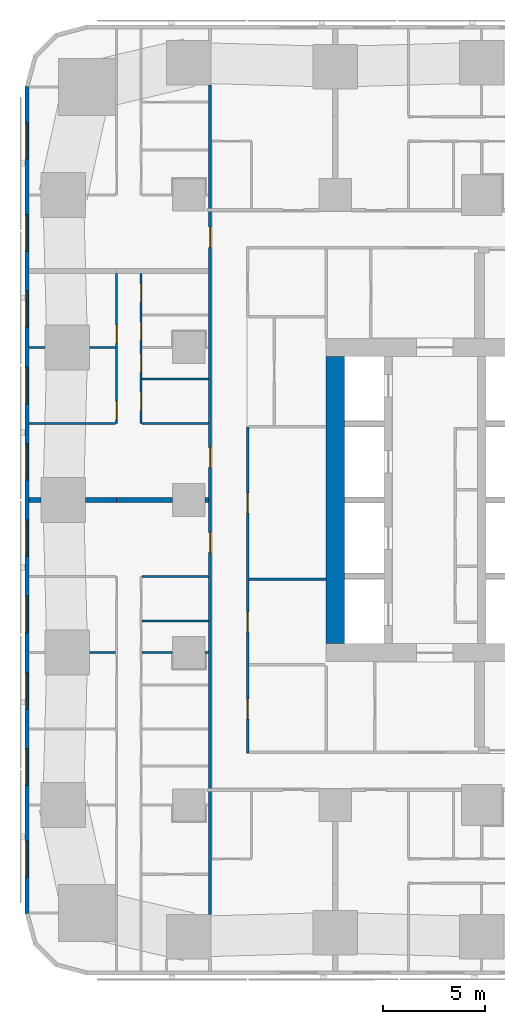
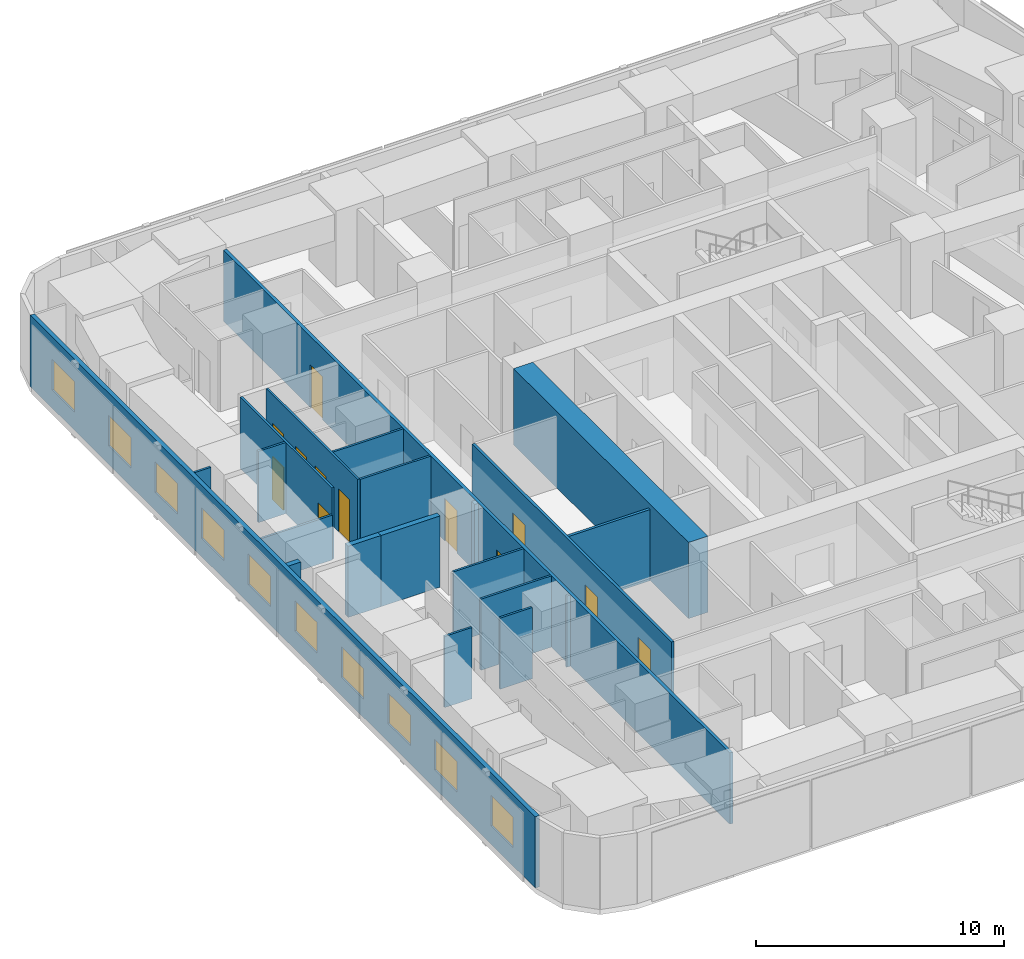
# One storey, part 4 of 15: 21 walls, 12 doors, 10 windows, 22 openings.
"""IFC4 building model written with IfcOpenShell, lengths in metres."""

from ifc_helpers import new_model, si_unit, direction, frame, frame_2d, origin, place, context, subcontext, project, spatial, rectangle, extrude, material, layer, layer_set, type_object, element, fill, save


model = new_model("IFC4")

# Units and contexts
model_context = context("Model", 3, precision=1e-05, world=origin(), true_north=direction((0.0, 1.0)))
body_context = subcontext(model_context, "Body", "Model", "MODEL_VIEW")
ifc_project = project(units=[si_unit("LENGTHUNIT", "METRE"), si_unit("AREAUNIT", "SQUARE_METRE"), si_unit("VOLUMEUNIT", "CUBIC_METRE"), si_unit("PLANEANGLEUNIT", "RADIAN"), si_unit("MASSUNIT", "GRAM", prefix="KILO")], contexts=[model_context])

# Site, building, storey
site_placement = place(None, origin())
site = spatial("IfcSite", under=ifc_project, at=site_placement, CompositionType="ELEMENT")
building_placement = place(site_placement, origin())
building = spatial("IfcBuilding", under=site, at=building_placement, Name="Sheger Commons Tower", CompositionType="ELEMENT")
storey_placement = place(building_placement, frame((0.0, 0.0, 77.89990234375)))
storey = spatial("IfcBuildingStorey", under=building, at=storey_placement, Name="L19", CompositionType="ELEMENT", Elevation=77.89990234375)

# Wall
ifc_material_1 = material(Name="Concrete C50/60", Category="concrete")
ifc_layer_1 = layer(ifc_material_1, 0.89990234375)
ifc_layer_set_1 = layer_set([ifc_layer_1], Name="CORE WALL 900")
wall_type_1 = type_object("IfcWallType", Name="CORE WALL 900", PredefinedType="SHEAR", material=ifc_layer_set_1)
wall_1_placement = place(storey_placement, frame((14.39990234375, 15.449951171875, 0.0), z_axis=(0.0, 0.0, 1.0), x_axis=(0.0, 1.0, 0.0)))
element("IfcWall", 1, at=wall_1_placement, inside=storey, type_object=wall_type_1, Name="Core wall west L19", PredefinedType="SHEAR", context=body_context, shape_type="SweptSolid", body=[
    extrude(rectangle(XDim=14.10009765625, YDim=0.89990234375, at=frame_2d((7.050048828125, 0.0))), origin(), (0.0, 0.0, 1.0), 3.75),
])

# Wall, openings, doors
ifc_material_2 = material(Name="Hollow concrete block masonry, skimmed both sides", Category="masonry")
ifc_layer_2 = layer(ifc_material_2, 0.14990234375)
ifc_layer_set_2 = layer_set([ifc_layer_2], Name="CORRIDOR WALL 150")
wall_type_2 = type_object("IfcWallType", Name="CORRIDOR WALL 150", PredefinedType="SOLIDWALL", material=ifc_layer_set_2)
wall_2_placement = place(storey_placement, frame((8.25, 2.1259765625, 0.0), z_axis=(0.0, 0.0, 1.0), x_axis=(0.0, 1.0, 0.0)))
wall_2 = element("IfcWall", 2, at=wall_2_placement, inside=storey, type_object=wall_type_2, Name="Corridor wall L19", PredefinedType="SOLIDWALL", context=body_context, shape_type="SweptSolid", body=[
    extrude(rectangle(XDim=40.77294921875, YDim=0.14990234375, at=frame_2d((20.386474609375, 0.0))), origin(), (0.0, 0.0, 1.0), 3.5),
])
opening_1_placement = place(wall_2_placement, frame((17.787109375, 0.0, 0.0)))
opening_1 = element("IfcOpeningElement", 3, at=opening_1_placement, cuts=wall_2, Name="Opening D1", PredefinedType="OPENING", context=body_context, shape_type="SweptSolid", body=[
    extrude(rectangle(XDim=1.0, YDim=2.10009765625, at=frame_2d((0.5, 1.050048828125))), frame((0.0, 0.0849609375, 0.0), z_axis=(0.0, -1.0, 0.0), x_axis=(1.0, 0.0, 0.0)), (0.0, 0.0, 1.0), 0.169921875),
])
opening_2_placement = place(wall_2_placement, frame((21.9619140625, 0.0, 0.0)))
opening_2 = element("IfcOpeningElement", 4, at=opening_2_placement, cuts=wall_2, Name="Opening D1", PredefinedType="OPENING", context=body_context, shape_type="SweptSolid", body=[
    extrude(rectangle(XDim=1.0, YDim=2.10009765625, at=frame_2d((0.5, 1.050048828125))), frame((0.0, 0.0849609375, 0.0), z_axis=(0.0, -1.0, 0.0), x_axis=(1.0, 0.0, 0.0)), (0.0, 0.0, 1.0), 0.169921875),
])
opening_3_placement = place(wall_2_placement, frame((32.787109375, 0.0, 0.0)))
opening_3 = element("IfcOpeningElement", 5, at=opening_3_placement, cuts=wall_2, Name="Opening D1", PredefinedType="OPENING", context=body_context, shape_type="SweptSolid", body=[
    extrude(rectangle(XDim=1.0, YDim=2.10009765625, at=frame_2d((0.5, 1.050048828125))), frame((0.0, 0.0849609375, 0.0), z_axis=(0.0, -1.0, 0.0), x_axis=(1.0, 0.0, 0.0)), (0.0, 0.0, 1.0), 0.169921875),
])
ifc_material_3 = material(Name="Steel door set, fire rated", Category="steel")
door_type_1 = type_object("IfcDoorType", Name="FLAT ENTRANCE DOOR 1000x2100", OperationType="NOTDEFINED", PredefinedType="DOOR", material=ifc_material_3)
door_1_placement = place(opening_1_placement, origin())
door_1 = element("IfcDoor", 6, at=door_1_placement, inside=storey, type_object=door_type_1, Name="Flat entrance door", OperationType="SINGLE_SWING_LEFT", OverallHeight=2.10009765625, OverallWidth=1.0, PredefinedType="DOOR", context=body_context, shape_type="SweptSolid", body=[
    extrude(rectangle(XDim=1.0, YDim=2.10009765625, at=frame_2d((0.5, 1.050048828125))), frame((0.0, 0.02490234375, 0.0), z_axis=(0.0, -1.0, 0.0), x_axis=(1.0, 0.0, 0.0)), (0.0, 0.0, 1.0), 0.050048828125),
])
fill(opening_1, door_1)
door_2_placement = place(opening_2_placement, origin())
door_2 = element("IfcDoor", 7, at=door_2_placement, inside=storey, type_object=door_type_1, Name="Flat entrance door", OperationType="SINGLE_SWING_RIGHT", OverallHeight=2.10009765625, OverallWidth=1.0, PredefinedType="DOOR", context=body_context, shape_type="SweptSolid", body=[
    extrude(rectangle(XDim=1.0, YDim=2.10009765625, at=frame_2d((0.5, 1.050048828125))), frame((0.0, 0.02490234375, 0.0), z_axis=(0.0, -1.0, 0.0), x_axis=(1.0, 0.0, 0.0)), (0.0, 0.0, 1.0), 0.050048828125),
])
fill(opening_2, door_2)
door_3_placement = place(opening_3_placement, origin())
door_3 = element("IfcDoor", 8, at=door_3_placement, inside=storey, type_object=door_type_1, Name="Flat entrance door", OperationType="SINGLE_SWING_LEFT", OverallHeight=2.10009765625, OverallWidth=1.0, PredefinedType="DOOR", context=body_context, shape_type="SweptSolid", body=[
    extrude(rectangle(XDim=1.0, YDim=2.10009765625, at=frame_2d((0.5, 1.050048828125))), frame((0.0, 0.02490234375, 0.0), z_axis=(0.0, -1.0, 0.0), x_axis=(1.0, 0.0, 0.0)), (0.0, 0.0, 1.0), 0.050048828125),
])
fill(opening_3, door_3)

# Walls
ifc_material_4 = material(Name="Dense concrete block masonry, plastered both sides (separating wall between flats)", Category="masonry")
ifc_layer_3 = layer(ifc_material_4, 0.25)
ifc_layer_set_3 = layer_set([ifc_layer_3], Name="DEMISING WALL 250")
wall_type_3 = type_object("IfcWallType", Name="DEMISING WALL 250", PredefinedType="SOLIDWALL", material=ifc_layer_set_3)
wall_3_placement = place(storey_placement, frame((-0.64990234375, 22.5, 0.0), z_axis=(0.0, 0.0, 1.0), x_axis=(1.0, 0.0, 0.0)))
element("IfcWall", 9, at=wall_3_placement, inside=storey, type_object=wall_type_3, Name="Demising wall L19", PredefinedType="SOLIDWALL", context=body_context, shape_type="SweptSolid", body=[
    extrude(rectangle(XDim=0.573974609375, YDim=0.25, at=frame_2d((0.287109375, 0.0))), origin(), (0.0, 0.0, 1.0), 3.5),
])
wall_4_placement = place(storey_placement, frame((2.1259765625, 22.5, 0.0), z_axis=(0.0, 0.0, 1.0), x_axis=(1.0, 0.0, 0.0)))
element("IfcWall", 10, at=wall_4_placement, inside=storey, type_object=wall_type_3, Name="Demising wall L19", PredefinedType="SOLIDWALL", context=body_context, shape_type="SweptSolid", body=[
    extrude(rectangle(XDim=1.52392578125, YDim=0.25, at=frame_2d((0.761962890625, 0.0))), origin(), (0.0, 0.0, 1.0), 3.5),
])
wall_5_placement = place(storey_placement, frame((3.64990234375, 22.5, 0.0), z_axis=(0.0, 0.0, 1.0), x_axis=(1.0, 0.0, 0.0)))
element("IfcWall", 11, at=wall_5_placement, inside=storey, type_object=wall_type_3, Name="Demising wall L19", PredefinedType="SOLIDWALL", context=body_context, shape_type="SweptSolid", body=[
    extrude(rectangle(XDim=2.7490234375, YDim=0.25, at=frame_2d((1.37451171875, 0.0))), origin(), (0.0, 0.0, 1.0), 3.5),
])
wall_6_placement = place(storey_placement, frame((8.0009765625, 22.5, 0.0), z_axis=(0.0, 0.0, 1.0), x_axis=(1.0, 0.0, 0.0)))
element("IfcWall", 12, at=wall_6_placement, inside=storey, type_object=wall_type_3, Name="Demising wall L19", PredefinedType="SOLIDWALL", context=body_context, shape_type="SweptSolid", body=[
    extrude(rectangle(XDim=0.174072265625, YDim=0.25, at=frame_2d((0.0869140625, 0.0))), origin(), (0.0, 0.0, 1.0), 3.5),
])

# Wall, openings, windows
ifc_material_5 = material(Name="Rendered concrete block masonry, dark grey", Category="masonry")
ifc_layer_4 = layer(ifc_material_5, 0.199951171875)
ifc_layer_set_4 = layer_set([ifc_layer_4], Name="FACADE WALL 200")
wall_type_4 = type_object("IfcWallType", Name="FACADE WALL 200", PredefinedType="SOLIDWALL", material=ifc_layer_set_4)
wall_7_placement = place(storey_placement, frame((-0.75, 42.8369140625, 0.0), z_axis=(0.0, 0.0, 1.0), x_axis=(0.0, -1.0, 0.0)))
wall_7 = element("IfcWall", 13, at=wall_7_placement, inside=storey, type_object=wall_type_4, Name="Facade wall L19", PredefinedType="SOLIDWALL", context=body_context, shape_type="SweptSolid", body=[
    extrude(rectangle(XDim=40.673828125, YDim=0.199951171875, at=frame_2d((20.3369140625, 0.0))), origin(), (0.0, 0.0, 1.0), 3.5),
])
opening_4_placement = place(wall_7_placement, frame((1.780029296875, 0.0, 0.89990234375)))
opening_4 = element("IfcOpeningElement", 14, at=opening_4_placement, cuts=wall_7, Name="Opening W2", PredefinedType="OPENING", context=body_context, shape_type="SweptSolid", body=[
    extrude(rectangle(XDim=1.800048828125, YDim=1.5, at=frame_2d((0.89990234375, 0.75))), frame((0.0, 0.10986328125, 0.0), z_axis=(0.0, -1.0, 0.0), x_axis=(1.0, 0.0, 0.0)), (0.0, 0.0, 1.0), 0.219970703125),
])
opening_5_placement = place(wall_7_placement, frame((6.31201171875, 0.0, 0.89990234375)))
opening_5 = element("IfcOpeningElement", 15, at=opening_5_placement, cuts=wall_7, Name="Opening W2", PredefinedType="OPENING", context=body_context, shape_type="SweptSolid", body=[
    extrude(rectangle(XDim=1.800048828125, YDim=1.5, at=frame_2d((0.89990234375, 0.75))), frame((0.0, 0.10986328125, 0.0), z_axis=(0.0, -1.0, 0.0), x_axis=(1.0, 0.0, 0.0)), (0.0, 0.0, 1.0), 0.219970703125),
])
opening_6_placement = place(wall_7_placement, frame((10.06201171875, 0.0, 0.89990234375)))
opening_6 = element("IfcOpeningElement", 16, at=opening_6_placement, cuts=wall_7, Name="Opening W2", PredefinedType="OPENING", context=body_context, shape_type="SweptSolid", body=[
    extrude(rectangle(XDim=1.800048828125, YDim=1.5, at=frame_2d((0.89990234375, 0.75))), frame((0.0, 0.10986328125, 0.0), z_axis=(0.0, -1.0, 0.0), x_axis=(1.0, 0.0, 0.0)), (0.0, 0.0, 1.0), 0.219970703125),
])
opening_7_placement = place(wall_7_placement, frame((13.81201171875, 0.0, 0.89990234375)))
opening_7 = element("IfcOpeningElement", 17, at=opening_7_placement, cuts=wall_7, Name="Opening W2", PredefinedType="OPENING", context=body_context, shape_type="SweptSolid", body=[
    extrude(rectangle(XDim=1.800048828125, YDim=1.5, at=frame_2d((0.89990234375, 0.75))), frame((0.0, 0.10986328125, 0.0), z_axis=(0.0, -1.0, 0.0), x_axis=(1.0, 0.0, 0.0)), (0.0, 0.0, 1.0), 0.219970703125),
])
opening_8_placement = place(wall_7_placement, frame((17.56201171875, 0.0, 0.89990234375)))
opening_8 = element("IfcOpeningElement", 18, at=opening_8_placement, cuts=wall_7, Name="Opening W2", PredefinedType="OPENING", context=body_context, shape_type="SweptSolid", body=[
    extrude(rectangle(XDim=1.800048828125, YDim=1.5, at=frame_2d((0.89990234375, 0.75))), frame((0.0, 0.10986328125, 0.0), z_axis=(0.0, -1.0, 0.0), x_axis=(1.0, 0.0, 0.0)), (0.0, 0.0, 1.0), 0.219970703125),
])
opening_9_placement = place(wall_7_placement, frame((21.31201171875, 0.0, 0.89990234375)))
opening_9 = element("IfcOpeningElement", 19, at=opening_9_placement, cuts=wall_7, Name="Opening W2", PredefinedType="OPENING", context=body_context, shape_type="SweptSolid", body=[
    extrude(rectangle(XDim=1.800048828125, YDim=1.5, at=frame_2d((0.89990234375, 0.75))), frame((0.0, 0.10986328125, 0.0), z_axis=(0.0, -1.0, 0.0), x_axis=(1.0, 0.0, 0.0)), (0.0, 0.0, 1.0), 0.219970703125),
])
opening_10_placement = place(wall_7_placement, frame((25.06201171875, 0.0, 0.89990234375)))
opening_10 = element("IfcOpeningElement", 20, at=opening_10_placement, cuts=wall_7, Name="Opening W2", PredefinedType="OPENING", context=body_context, shape_type="SweptSolid", body=[
    extrude(rectangle(XDim=1.800048828125, YDim=1.5, at=frame_2d((0.89990234375, 0.75))), frame((0.0, 0.10986328125, 0.0), z_axis=(0.0, -1.0, 0.0), x_axis=(1.0, 0.0, 0.0)), (0.0, 0.0, 1.0), 0.219970703125),
])
opening_11_placement = place(wall_7_placement, frame((28.81201171875, 0.0, 0.89990234375)))
opening_11 = element("IfcOpeningElement", 21, at=opening_11_placement, cuts=wall_7, Name="Opening W2", PredefinedType="OPENING", context=body_context, shape_type="SweptSolid", body=[
    extrude(rectangle(XDim=1.800048828125, YDim=1.5, at=frame_2d((0.89990234375, 0.75))), frame((0.0, 0.10986328125, 0.0), z_axis=(0.0, -1.0, 0.0), x_axis=(1.0, 0.0, 0.0)), (0.0, 0.0, 1.0), 0.219970703125),
])
opening_12_placement = place(wall_7_placement, frame((32.56201171875, 0.0, 0.89990234375)))
opening_12 = element("IfcOpeningElement", 22, at=opening_12_placement, cuts=wall_7, Name="Opening W2", PredefinedType="OPENING", context=body_context, shape_type="SweptSolid", body=[
    extrude(rectangle(XDim=1.800048828125, YDim=1.5, at=frame_2d((0.89990234375, 0.75))), frame((0.0, 0.10986328125, 0.0), z_axis=(0.0, -1.0, 0.0), x_axis=(1.0, 0.0, 0.0)), (0.0, 0.0, 1.0), 0.219970703125),
])
opening_13_placement = place(wall_7_placement, frame((37.093994140625, 0.0, 0.89990234375)))
opening_13 = element("IfcOpeningElement", 23, at=opening_13_placement, cuts=wall_7, Name="Opening W2", PredefinedType="OPENING", context=body_context, shape_type="SweptSolid", body=[
    extrude(rectangle(XDim=1.800048828125, YDim=1.5, at=frame_2d((0.89990234375, 0.75))), frame((0.0, 0.10986328125, 0.0), z_axis=(0.0, -1.0, 0.0), x_axis=(1.0, 0.0, 0.0)), (0.0, 0.0, 1.0), 0.219970703125),
])
ifc_material_6 = material(Name="Black aluminium frame, dark tinted double glazing", Category="aluminium")
window_type = type_object("IfcWindowType", Name="WINDOW W2 1800x1500", PartitioningType="SINGLE_PANEL", PredefinedType="WINDOW", material=ifc_material_6)
window_1_placement = place(opening_4_placement, origin())
window_1 = element("IfcWindow", 24, at=window_1_placement, inside=storey, type_object=window_type, Name="Window W2 1800X1500", OverallHeight=1.5, OverallWidth=1.800048828125, PartitioningType="SINGLE_PANEL", PredefinedType="WINDOW", context=body_context, shape_type="SweptSolid", body=[
    extrude(rectangle(XDim=1.800048828125, YDim=1.5, at=frame_2d((0.89990234375, 0.75))), frame((0.0, 0.030029296875, 0.0), z_axis=(0.0, -1.0, 0.0), x_axis=(1.0, 0.0, 0.0)), (0.0, 0.0, 1.0), 0.06005859375),
])
fill(opening_4, window_1)
window_2_placement = place(opening_5_placement, origin())
window_2 = element("IfcWindow", 25, at=window_2_placement, inside=storey, type_object=window_type, Name="Window W2 1800X1500", OverallHeight=1.5, OverallWidth=1.800048828125, PartitioningType="SINGLE_PANEL", PredefinedType="WINDOW", context=body_context, shape_type="SweptSolid", body=[
    extrude(rectangle(XDim=1.800048828125, YDim=1.5, at=frame_2d((0.89990234375, 0.75))), frame((0.0, 0.030029296875, 0.0), z_axis=(0.0, -1.0, 0.0), x_axis=(1.0, 0.0, 0.0)), (0.0, 0.0, 1.0), 0.06005859375),
])
fill(opening_5, window_2)
window_3_placement = place(opening_6_placement, origin())
window_3 = element("IfcWindow", 26, at=window_3_placement, inside=storey, type_object=window_type, Name="Window W2 1800X1500", OverallHeight=1.5, OverallWidth=1.800048828125, PartitioningType="SINGLE_PANEL", PredefinedType="WINDOW", context=body_context, shape_type="SweptSolid", body=[
    extrude(rectangle(XDim=1.800048828125, YDim=1.5, at=frame_2d((0.89990234375, 0.75))), frame((0.0, 0.030029296875, 0.0), z_axis=(0.0, -1.0, 0.0), x_axis=(1.0, 0.0, 0.0)), (0.0, 0.0, 1.0), 0.06005859375),
])
fill(opening_6, window_3)
window_4_placement = place(opening_7_placement, origin())
window_4 = element("IfcWindow", 27, at=window_4_placement, inside=storey, type_object=window_type, Name="Window W2 1800X1500", OverallHeight=1.5, OverallWidth=1.800048828125, PartitioningType="SINGLE_PANEL", PredefinedType="WINDOW", context=body_context, shape_type="SweptSolid", body=[
    extrude(rectangle(XDim=1.800048828125, YDim=1.5, at=frame_2d((0.89990234375, 0.75))), frame((0.0, 0.030029296875, 0.0), z_axis=(0.0, -1.0, 0.0), x_axis=(1.0, 0.0, 0.0)), (0.0, 0.0, 1.0), 0.06005859375),
])
fill(opening_7, window_4)
window_5_placement = place(opening_8_placement, origin())
window_5 = element("IfcWindow", 28, at=window_5_placement, inside=storey, type_object=window_type, Name="Window W2 1800X1500", OverallHeight=1.5, OverallWidth=1.800048828125, PartitioningType="SINGLE_PANEL", PredefinedType="WINDOW", context=body_context, shape_type="SweptSolid", body=[
    extrude(rectangle(XDim=1.800048828125, YDim=1.5, at=frame_2d((0.89990234375, 0.75))), frame((0.0, 0.030029296875, 0.0), z_axis=(0.0, -1.0, 0.0), x_axis=(1.0, 0.0, 0.0)), (0.0, 0.0, 1.0), 0.06005859375),
])
fill(opening_8, window_5)
window_6_placement = place(opening_9_placement, origin())
window_6 = element("IfcWindow", 29, at=window_6_placement, inside=storey, type_object=window_type, Name="Window W2 1800X1500", OverallHeight=1.5, OverallWidth=1.800048828125, PartitioningType="SINGLE_PANEL", PredefinedType="WINDOW", context=body_context, shape_type="SweptSolid", body=[
    extrude(rectangle(XDim=1.800048828125, YDim=1.5, at=frame_2d((0.89990234375, 0.75))), frame((0.0, 0.030029296875, 0.0), z_axis=(0.0, -1.0, 0.0), x_axis=(1.0, 0.0, 0.0)), (0.0, 0.0, 1.0), 0.06005859375),
])
fill(opening_9, window_6)
window_7_placement = place(opening_10_placement, origin())
window_7 = element("IfcWindow", 30, at=window_7_placement, inside=storey, type_object=window_type, Name="Window W2 1800X1500", OverallHeight=1.5, OverallWidth=1.800048828125, PartitioningType="SINGLE_PANEL", PredefinedType="WINDOW", context=body_context, shape_type="SweptSolid", body=[
    extrude(rectangle(XDim=1.800048828125, YDim=1.5, at=frame_2d((0.89990234375, 0.75))), frame((0.0, 0.030029296875, 0.0), z_axis=(0.0, -1.0, 0.0), x_axis=(1.0, 0.0, 0.0)), (0.0, 0.0, 1.0), 0.06005859375),
])
fill(opening_10, window_7)
window_8_placement = place(opening_11_placement, origin())
window_8 = element("IfcWindow", 31, at=window_8_placement, inside=storey, type_object=window_type, Name="Window W2 1800X1500", OverallHeight=1.5, OverallWidth=1.800048828125, PartitioningType="SINGLE_PANEL", PredefinedType="WINDOW", context=body_context, shape_type="SweptSolid", body=[
    extrude(rectangle(XDim=1.800048828125, YDim=1.5, at=frame_2d((0.89990234375, 0.75))), frame((0.0, 0.030029296875, 0.0), z_axis=(0.0, -1.0, 0.0), x_axis=(1.0, 0.0, 0.0)), (0.0, 0.0, 1.0), 0.06005859375),
])
fill(opening_11, window_8)
window_9_placement = place(opening_12_placement, origin())
window_9 = element("IfcWindow", 32, at=window_9_placement, inside=storey, type_object=window_type, Name="Window W2 1800X1500", OverallHeight=1.5, OverallWidth=1.800048828125, PartitioningType="SINGLE_PANEL", PredefinedType="WINDOW", context=body_context, shape_type="SweptSolid", body=[
    extrude(rectangle(XDim=1.800048828125, YDim=1.5, at=frame_2d((0.89990234375, 0.75))), frame((0.0, 0.030029296875, 0.0), z_axis=(0.0, -1.0, 0.0), x_axis=(1.0, 0.0, 0.0)), (0.0, 0.0, 1.0), 0.06005859375),
])
fill(opening_12, window_9)
window_10_placement = place(opening_13_placement, origin())
window_10 = element("IfcWindow", 33, at=window_10_placement, inside=storey, type_object=window_type, Name="Window W2 1800X1500", OverallHeight=1.5, OverallWidth=1.800048828125, PartitioningType="SINGLE_PANEL", PredefinedType="WINDOW", context=body_context, shape_type="SweptSolid", body=[
    extrude(rectangle(XDim=1.800048828125, YDim=1.5, at=frame_2d((0.89990234375, 0.75))), frame((0.0, 0.030029296875, 0.0), z_axis=(0.0, -1.0, 0.0), x_axis=(1.0, 0.0, 0.0)), (0.0, 0.0, 1.0), 0.06005859375),
])
fill(opening_13, window_10)

# Walls
ifc_material_7 = material(Name="Gypsum board on steel studs", Category="steel")
ifc_layer_5 = layer(ifc_material_7, 0.10009765625)
ifc_layer_set_5 = layer_set([ifc_layer_5], Name="PARTITION 100")
wall_type_5 = type_object("IfcWallType", Name="PARTITION 100", PredefinedType="PARTITIONING", material=ifc_layer_set_5)
wall_8_placement = place(storey_placement, frame((2.325927734375, 15.0, 0.0), z_axis=(0.0, 0.0, 1.0), x_axis=(1.0, 0.0, 0.0)))
element("IfcWall", 34, at=wall_8_placement, inside=storey, type_object=wall_type_5, Name="Partition L19", PredefinedType="PARTITIONING", context=body_context, shape_type="SweptSolid", body=[
    extrude(rectangle(XDim=1.274169921875, YDim=0.10009765625, at=frame_2d((0.63720703125, 0.0))), origin(), (0.0, 0.0, 1.0), 3.5),
])
wall_9_placement = place(storey_placement, frame((4.89990234375, 15.0, 0.0), z_axis=(0.0, 0.0, 1.0), x_axis=(1.0, 0.0, 0.0)))
element("IfcWall", 35, at=wall_9_placement, inside=storey, type_object=wall_type_5, Name="Partition L19", PredefinedType="PARTITIONING", context=body_context, shape_type="SweptSolid", body=[
    extrude(rectangle(XDim=1.4990234375, YDim=0.10009765625, at=frame_2d((0.74951171875, 0.0))), origin(), (0.0, 0.0, 1.0), 3.5),
])
wall_10_placement = place(storey_placement, frame((8.0009765625, 15.0, 0.0), z_axis=(0.0, 0.0, 1.0), x_axis=(1.0, 0.0, 0.0)))
element("IfcWall", 36, at=wall_10_placement, inside=storey, type_object=wall_type_5, Name="Partition L19", PredefinedType="PARTITIONING", context=body_context, shape_type="SweptSolid", body=[
    extrude(rectangle(XDim=0.174072265625, YDim=0.10009765625, at=frame_2d((0.0869140625, 0.0))), origin(), (0.0, 0.0, 1.0), 3.5),
])
for number, where, z_axis, x_axis, name in (
    (37, (4.89990234375, 18.75, 0.0), (0.0, 0.0, 1.0), (1.0, 0.0, 0.0), "Partition L19"),
    (38, (4.89990234375, 16.5400390625, 0.0), (0.0, 0.0, 1.0), (1.0, 0.0, 0.0), "Partition L19"),
):
    element("IfcWall", number, at=place(storey_placement, frame(where, z_axis=z_axis, x_axis=x_axis)), inside=storey, type_object=wall_type_5, Name=name, PredefinedType="PARTITIONING", context=body_context, shape_type="SweptSolid", body=[
        extrude(rectangle(XDim=3.275146484375, YDim=0.10009765625, at=frame_2d((1.6376953125, 0.0))), origin(), (0.0, 0.0, 1.0), 3.5),
    ])

# Wall, openings, doors
wall_11_placement = place(storey_placement, frame((3.64990234375, 26.25, 0.0), z_axis=(0.0, 0.0, 1.0), x_axis=(0.0, 1.0, 0.0)))
wall_11 = element("IfcWall", 39, at=wall_11_placement, inside=storey, type_object=wall_type_5, Name="Partition L19", PredefinedType="PARTITIONING", context=body_context, shape_type="SweptSolid", body=[
    extrude(rectangle(XDim=7.375, YDim=0.10009765625, at=frame_2d((3.6875, 0.0))), origin(), (0.0, 0.0, 1.0), 3.5),
])
opening_14_placement = place(wall_11_placement, frame((0.199951171875, 0.0, 0.0)))
opening_14 = element("IfcOpeningElement", 40, at=opening_14_placement, cuts=wall_11, Name="Opening D2", PredefinedType="OPENING", context=body_context, shape_type="SweptSolid", body=[
    extrude(rectangle(XDim=0.89990234375, YDim=2.10009765625, at=frame_2d((0.449951171875, 1.050048828125))), frame((0.0, 0.06005859375, 0.0), z_axis=(0.0, -1.0, 0.0), x_axis=(1.0, 0.0, 0.0)), (0.0, 0.0, 1.0), 0.1201171875),
])
opening_15_placement = place(wall_11_placement, frame((3.949951171875, 0.0, 0.0)))
opening_15 = element("IfcOpeningElement", 41, at=opening_15_placement, cuts=wall_11, Name="Opening D2", PredefinedType="OPENING", context=body_context, shape_type="SweptSolid", body=[
    extrude(rectangle(XDim=0.89990234375, YDim=2.10009765625, at=frame_2d((0.449951171875, 1.050048828125))), frame((0.0, 0.06005859375, 0.0), z_axis=(0.0, -1.0, 0.0), x_axis=(1.0, 0.0, 0.0)), (0.0, 0.0, 1.0), 0.1201171875),
])
ifc_material_8 = material(Name="Timber door set", Category="wood")
door_type_2 = type_object("IfcDoorType", Name="INTERNAL DOOR 900x2100", OperationType="NOTDEFINED", PredefinedType="DOOR", material=ifc_material_8)
door_4_placement = place(opening_14_placement, origin())
door_4 = element("IfcDoor", 42, at=door_4_placement, inside=storey, type_object=door_type_2, Name="Main bedroom door", OperationType="SINGLE_SWING_LEFT", OverallHeight=2.10009765625, OverallWidth=0.89990234375, PredefinedType="DOOR", context=body_context, shape_type="SweptSolid", body=[
    extrude(rectangle(XDim=0.89990234375, YDim=2.10009765625, at=frame_2d((0.449951171875, 1.050048828125))), frame((0.0, 0.02490234375, 0.0), z_axis=(0.0, -1.0, 0.0), x_axis=(1.0, 0.0, 0.0)), (0.0, 0.0, 1.0), 0.050048828125),
])
fill(opening_14, door_4)
door_5_placement = place(opening_15_placement, origin())
door_5 = element("IfcDoor", 43, at=door_5_placement, inside=storey, type_object=door_type_2, Name="Bedroom 2 door", OperationType="SINGLE_SWING_LEFT", OverallHeight=2.10009765625, OverallWidth=0.89990234375, PredefinedType="DOOR", context=body_context, shape_type="SweptSolid", body=[
    extrude(rectangle(XDim=0.89990234375, YDim=2.10009765625, at=frame_2d((0.449951171875, 1.050048828125))), frame((0.0, 0.02490234375, 0.0), z_axis=(0.0, -1.0, 0.0), x_axis=(1.0, 0.0, 0.0)), (0.0, 0.0, 1.0), 0.050048828125),
])
fill(opening_15, door_5)

wall_12_placement = place(storey_placement, frame((4.85009765625, 26.25, 0.0), z_axis=(0.0, 0.0, 1.0), x_axis=(0.0, 1.0, 0.0)))
wall_12 = element("IfcWall", 44, at=wall_12_placement, inside=storey, type_object=wall_type_5, Name="Partition L19", PredefinedType="PARTITIONING", context=body_context, shape_type="SweptSolid", body=[
    extrude(rectangle(XDim=7.375, YDim=0.10009765625, at=frame_2d((3.6875, 0.0))), origin(), (0.0, 0.0, 1.0), 3.5),
])
opening_16_placement = place(wall_12_placement, frame((0.655029296875, 0.0, 0.0)))
opening_16 = element("IfcOpeningElement", 45, at=opening_16_placement, cuts=wall_12, Name="Opening D2", PredefinedType="OPENING", context=body_context, shape_type="SweptSolid", body=[
    extrude(rectangle(XDim=0.89990234375, YDim=2.10009765625, at=frame_2d((0.449951171875, 1.050048828125))), frame((0.0, 0.06005859375, 0.0), z_axis=(0.0, -1.0, 0.0), x_axis=(1.0, 0.0, 0.0)), (0.0, 0.0, 1.0), 0.1201171875),
])
opening_17_placement = place(wall_12_placement, frame((4.10009765625, 0.0, 0.0)))
opening_17 = element("IfcOpeningElement", 46, at=opening_17_placement, cuts=wall_12, Name="Opening D2", PredefinedType="OPENING", context=body_context, shape_type="SweptSolid", body=[
    extrude(rectangle(XDim=0.89990234375, YDim=2.10009765625, at=frame_2d((0.449951171875, 1.050048828125))), frame((0.0, 0.06005859375, 0.0), z_axis=(0.0, -1.0, 0.0), x_axis=(1.0, 0.0, 0.0)), (0.0, 0.0, 1.0), 0.1201171875),
])
opening_18_placement = place(wall_12_placement, frame((2.530029296875, 0.0, 0.0)))
opening_18 = element("IfcOpeningElement", 47, at=opening_18_placement, cuts=wall_12, Name="Opening D2", PredefinedType="OPENING", context=body_context, shape_type="SweptSolid", body=[
    extrude(rectangle(XDim=0.89990234375, YDim=2.10009765625, at=frame_2d((0.449951171875, 1.050048828125))), frame((0.0, 0.06005859375, 0.0), z_axis=(0.0, -1.0, 0.0), x_axis=(1.0, 0.0, 0.0)), (0.0, 0.0, 1.0), 0.1201171875),
])
opening_19_placement = place(wall_12_placement, frame((5.97509765625, 0.0, 0.0)))
opening_19 = element("IfcOpeningElement", 48, at=opening_19_placement, cuts=wall_12, Name="Opening D2", PredefinedType="OPENING", context=body_context, shape_type="SweptSolid", body=[
    extrude(rectangle(XDim=0.89990234375, YDim=2.10009765625, at=frame_2d((0.449951171875, 1.050048828125))), frame((0.0, 0.06005859375, 0.0), z_axis=(0.0, -1.0, 0.0), x_axis=(1.0, 0.0, 0.0)), (0.0, 0.0, 1.0), 0.1201171875),
])
door_6_placement = place(opening_16_placement, origin())
door_6 = element("IfcDoor", 49, at=door_6_placement, inside=storey, type_object=door_type_2, Name="Bathroom door", OperationType="SINGLE_SWING_RIGHT", OverallHeight=2.10009765625, OverallWidth=0.89990234375, PredefinedType="DOOR", context=body_context, shape_type="SweptSolid", body=[
    extrude(rectangle(XDim=0.89990234375, YDim=2.10009765625, at=frame_2d((0.449951171875, 1.050048828125))), frame((0.0, 0.02490234375, 0.0), z_axis=(0.0, -1.0, 0.0), x_axis=(1.0, 0.0, 0.0)), (0.0, 0.0, 1.0), 0.050048828125),
])
fill(opening_16, door_6)
door_7_placement = place(opening_17_placement, origin())
door_7 = element("IfcDoor", 50, at=door_7_placement, inside=storey, type_object=door_type_2, Name="Shower room door", OperationType="SINGLE_SWING_RIGHT", OverallHeight=2.10009765625, OverallWidth=0.89990234375, PredefinedType="DOOR", context=body_context, shape_type="SweptSolid", body=[
    extrude(rectangle(XDim=0.89990234375, YDim=2.10009765625, at=frame_2d((0.449951171875, 1.050048828125))), frame((0.0, 0.02490234375, 0.0), z_axis=(0.0, -1.0, 0.0), x_axis=(1.0, 0.0, 0.0)), (0.0, 0.0, 1.0), 0.050048828125),
])
fill(opening_17, door_7)
door_8_placement = place(opening_18_placement, origin())
door_8 = element("IfcDoor", 51, at=door_8_placement, inside=storey, type_object=door_type_2, Name="Store door", OperationType="SINGLE_SWING_RIGHT", OverallHeight=2.10009765625, OverallWidth=0.89990234375, PredefinedType="DOOR", context=body_context, shape_type="SweptSolid", body=[
    extrude(rectangle(XDim=0.89990234375, YDim=2.10009765625, at=frame_2d((0.449951171875, 1.050048828125))), frame((0.0, 0.02490234375, 0.0), z_axis=(0.0, -1.0, 0.0), x_axis=(1.0, 0.0, 0.0)), (0.0, 0.0, 1.0), 0.050048828125),
])
fill(opening_18, door_8)
door_9_placement = place(opening_19_placement, origin())
door_9 = element("IfcDoor", 52, at=door_9_placement, inside=storey, type_object=door_type_2, Name="Store door", OperationType="SINGLE_SWING_LEFT", OverallHeight=2.10009765625, OverallWidth=0.89990234375, PredefinedType="DOOR", context=body_context, shape_type="SweptSolid", body=[
    extrude(rectangle(XDim=0.89990234375, YDim=2.10009765625, at=frame_2d((0.449951171875, 1.050048828125))), frame((0.0, 0.02490234375, 0.0), z_axis=(0.0, -1.0, 0.0), x_axis=(1.0, 0.0, 0.0)), (0.0, 0.0, 1.0), 0.050048828125),
])
fill(opening_19, door_9)

# Walls
wall_13_placement = place(storey_placement, frame((-0.64990234375, 26.25, 0.0), z_axis=(0.0, 0.0, 1.0), x_axis=(1.0, 0.0, 0.0)))
element("IfcWall", 53, at=wall_13_placement, inside=storey, type_object=wall_type_5, Name="Partition L19", PredefinedType="PARTITIONING", context=body_context, shape_type="SweptSolid", body=[
    extrude(rectangle(XDim=4.25, YDim=0.10009765625, at=frame_2d((2.125, 0.0))), origin(), (0.0, 0.0, 1.0), 2.2001953125),
])
wall_14_placement = place(storey_placement, frame((-0.64990234375, 30.0, 0.0), z_axis=(0.0, 0.0, 1.0), x_axis=(1.0, 0.0, 0.0)))
element("IfcWall", 54, at=wall_14_placement, inside=storey, type_object=wall_type_5, Name="Partition L19", PredefinedType="PARTITIONING", context=body_context, shape_type="SweptSolid", body=[
    extrude(rectangle(XDim=0.77392578125, YDim=0.10009765625, at=frame_2d((0.386962890625, 0.0))), origin(), (0.0, 0.0, 1.0), 3.5),
])
wall_15_placement = place(storey_placement, frame((2.325927734375, 30.0, 0.0), z_axis=(0.0, 0.0, 1.0), x_axis=(1.0, 0.0, 0.0)))
element("IfcWall", 55, at=wall_15_placement, inside=storey, type_object=wall_type_5, Name="Partition L19", PredefinedType="PARTITIONING", context=body_context, shape_type="SweptSolid", body=[
    extrude(rectangle(XDim=1.274169921875, YDim=0.10009765625, at=frame_2d((0.63720703125, 0.0))), origin(), (0.0, 0.0, 1.0), 3.5),
])
for number, where, z_axis, x_axis, name in (
    (56, (4.89990234375, 26.25, 0.0), (0.0, 0.0, 1.0), (1.0, 0.0, 0.0), "Partition L19"),
    (57, (4.89990234375, 28.4599609375, 0.0), (0.0, 0.0, 1.0), (1.0, 0.0, 0.0), "Partition L19"),
):
    element("IfcWall", number, at=place(storey_placement, frame(where, z_axis=z_axis, x_axis=x_axis)), inside=storey, type_object=wall_type_5, Name=name, PredefinedType="PARTITIONING", context=body_context, shape_type="SweptSolid", body=[
        extrude(rectangle(XDim=3.275146484375, YDim=0.10009765625, at=frame_2d((1.6376953125, 0.0))), origin(), (0.0, 0.0, 1.0), 3.5),
    ])

# Wall, openings, doors
ifc_material_9 = material(Name="Gypsum board on steel studs, two layers each side, fire rated", Category="steel")
ifc_layer_6 = layer(ifc_material_9, 0.125)
ifc_layer_set_6 = layer_set([ifc_layer_6], Name="SERVICE WALL 125")
wall_type_6 = type_object("IfcWallType", Name="SERVICE WALL 125", PredefinedType="PARTITIONING", material=ifc_layer_set_6)
wall_16_placement = place(storey_placement, frame((10.10009765625, 10.050048828125, 0.0), z_axis=(0.0, 0.0, 1.0), x_axis=(0.0, 1.0, 0.0)))
wall_16 = element("IfcWall", 58, at=wall_16_placement, inside=storey, type_object=wall_type_6, Name="Service room wall L19", PredefinedType="PARTITIONING", context=body_context, shape_type="SweptSolid", body=[
    extrude(rectangle(XDim=16.050048828125, YDim=0.125, at=frame_2d((8.02490234375, 0.0))), origin(), (0.0, 0.0, 1.0), 3.5),
])
opening_20_placement = place(wall_16_placement, frame((1.675048828125, 0.0, 0.0)))
opening_20 = element("IfcOpeningElement", 59, at=opening_20_placement, cuts=wall_16, Name="Opening D4", PredefinedType="OPENING", context=body_context, shape_type="SweptSolid", body=[
    extrude(rectangle(XDim=1.0, YDim=2.10009765625, at=frame_2d((0.5, 1.050048828125))), frame((0.0, 0.072509765625, 0.0), z_axis=(0.0, -1.0, 0.0), x_axis=(1.0, 0.0, 0.0)), (0.0, 0.0, 1.0), 0.14501953125),
])
opening_21_placement = place(wall_16_placement, frame((5.949951171875, 0.0, 0.0)))
opening_21 = element("IfcOpeningElement", 60, at=opening_21_placement, cuts=wall_16, Name="Opening D4", PredefinedType="OPENING", context=body_context, shape_type="SweptSolid", body=[
    extrude(rectangle(XDim=1.0, YDim=2.10009765625, at=frame_2d((0.5, 1.050048828125))), frame((0.0, 0.072509765625, 0.0), z_axis=(0.0, -1.0, 0.0), x_axis=(1.0, 0.0, 0.0)), (0.0, 0.0, 1.0), 0.14501953125),
])
opening_22_placement = place(wall_16_placement, frame((11.800048828125, 0.0, 0.0)))
opening_22 = element("IfcOpeningElement", 61, at=opening_22_placement, cuts=wall_16, Name="Opening D4", PredefinedType="OPENING", context=body_context, shape_type="SweptSolid", body=[
    extrude(rectangle(XDim=1.0, YDim=2.10009765625, at=frame_2d((0.5, 1.050048828125))), frame((0.0, 0.072509765625, 0.0), z_axis=(0.0, -1.0, 0.0), x_axis=(1.0, 0.0, 0.0)), (0.0, 0.0, 1.0), 0.14501953125),
])
ifc_material_10 = material(Name="Steel door set, fire rated", Category="steel")
door_type_3 = type_object("IfcDoorType", Name="SERVICE DOOR 1000x2100", OperationType="NOTDEFINED", PredefinedType="DOOR", material=ifc_material_10)
door_10_placement = place(opening_20_placement, origin())
door_10 = element("IfcDoor", 62, at=door_10_placement, inside=storey, type_object=door_type_3, Name="Refuse chute room door", OperationType="SINGLE_SWING_RIGHT", OverallHeight=2.10009765625, OverallWidth=1.0, PredefinedType="DOOR", context=body_context, shape_type="SweptSolid", body=[
    extrude(rectangle(XDim=1.0, YDim=2.10009765625, at=frame_2d((0.5, 1.050048828125))), frame((0.0, 0.02490234375, 0.0), z_axis=(0.0, -1.0, 0.0), x_axis=(1.0, 0.0, 0.0)), (0.0, 0.0, 1.0), 0.050048828125),
])
fill(opening_20, door_10)
door_11_placement = place(opening_21_placement, origin())
door_11 = element("IfcDoor", 63, at=door_11_placement, inside=storey, type_object=door_type_3, Name="Recycling room door", OperationType="SINGLE_SWING_LEFT", OverallHeight=2.10009765625, OverallWidth=1.0, PredefinedType="DOOR", context=body_context, shape_type="SweptSolid", body=[
    extrude(rectangle(XDim=1.0, YDim=2.10009765625, at=frame_2d((0.5, 1.050048828125))), frame((0.0, 0.02490234375, 0.0), z_axis=(0.0, -1.0, 0.0), x_axis=(1.0, 0.0, 0.0)), (0.0, 0.0, 1.0), 0.050048828125),
])
fill(opening_21, door_11)
door_12_placement = place(opening_22_placement, origin())
door_12 = element("IfcDoor", 64, at=door_12_placement, inside=storey, type_object=door_type_3, Name="Bicycle and pram store door", OperationType="SINGLE_SWING_LEFT", OverallHeight=2.10009765625, OverallWidth=1.0, PredefinedType="DOOR", context=body_context, shape_type="SweptSolid", body=[
    extrude(rectangle(XDim=1.0, YDim=2.10009765625, at=frame_2d((0.5, 1.050048828125))), frame((0.0, 0.02490234375, 0.0), z_axis=(0.0, -1.0, 0.0), x_axis=(1.0, 0.0, 0.0)), (0.0, 0.0, 1.0), 0.050048828125),
])
fill(opening_22, door_12)

# Wall
wall_17_placement = place(storey_placement, frame((10.1630859375, 18.60009765625, 0.0), z_axis=(0.0, 0.0, 1.0), x_axis=(1.0, 0.0, 0.0)))
element("IfcWall", 65, at=wall_17_placement, inside=storey, type_object=wall_type_6, Name="Service room wall L19", PredefinedType="PARTITIONING", context=body_context, shape_type="SweptSolid", body=[
    extrude(rectangle(XDim=3.786865234375, YDim=0.125, at=frame_2d((1.8935546875, 0.0))), origin(), (0.0, 0.0, 1.0), 3.5),
])

save(model, "model.ifc")
